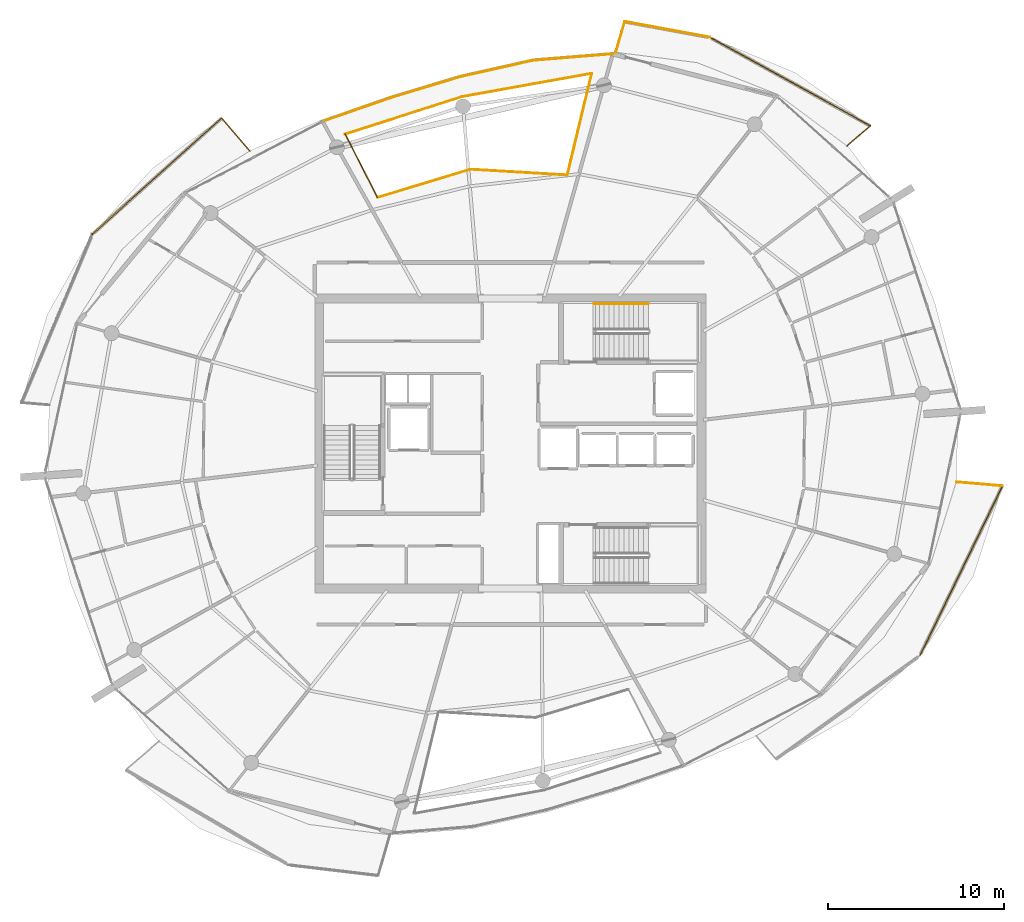
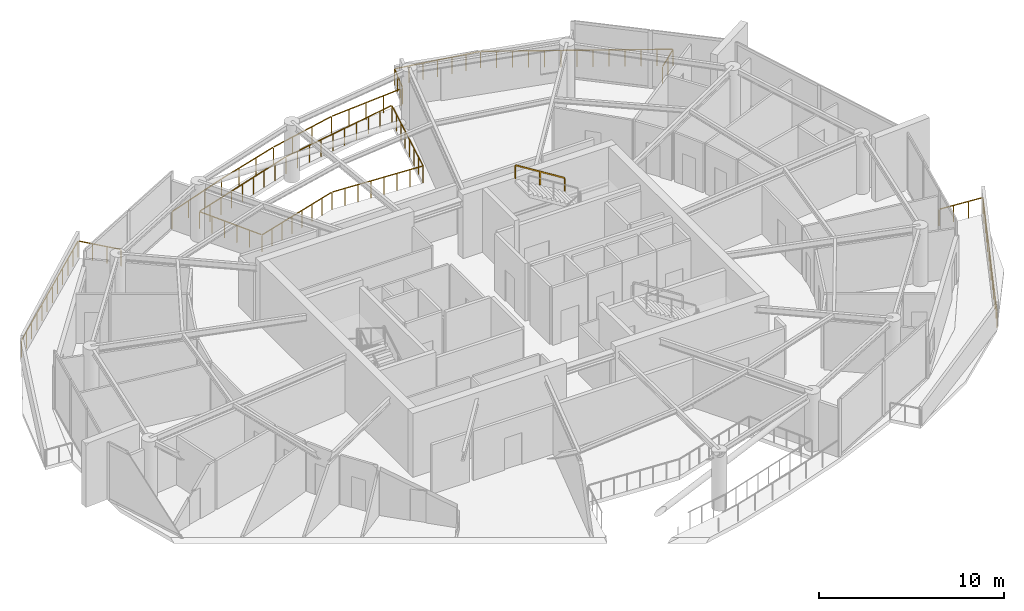
# One storey, part 21 of 21: 16 railings.
"""IFC4 building model written with IfcOpenShell, lengths in metres."""

from ifc_helpers import new_model, si_unit, direction, frame, origin, origin_2d, place, context, subcontext, project, spatial, rectangle, extrude, material, type_object, element, save


model = new_model("IFC4")

# Units and contexts
model_context = context("Model", 3, precision=1e-05, world=origin(), true_north=direction((0.0, 1.0)))
body_context = subcontext(model_context, "Body", "Model", "MODEL_VIEW")
ifc_project = project(units=[si_unit("LENGTHUNIT", "METRE"), si_unit("AREAUNIT", "SQUARE_METRE"), si_unit("VOLUMEUNIT", "CUBIC_METRE"), si_unit("PLANEANGLEUNIT", "RADIAN"), si_unit("MASSUNIT", "GRAM", prefix="KILO")], contexts=[model_context])

# Site, building, storey
site_placement = place(None, origin())
site = spatial("IfcSite", under=ifc_project, at=site_placement, CompositionType="ELEMENT")
building_placement = place(site_placement, origin())
building = spatial("IfcBuilding", under=site, at=building_placement, Name="Kazma Halo Residences", CompositionType="ELEMENT")
storey_placement = place(building_placement, frame((0.0, 0.0, 338.89990234375)))
storey = spatial("IfcBuildingStorey", under=building, at=storey_placement, Name="L85", CompositionType="ELEMENT", Elevation=338.89990234375)

# Railings
ifc_material_1 = material(Name="Aluminium AW-6063 T6 Brushed Cap Rail", Category="aluminium")
railing_type_1 = type_object("IfcRailingType", Name="RLG-BAL-CAP-1120", PredefinedType="BALUSTRADE", material=ifc_material_1)
railing_1_placement = place(storey_placement, frame((67.578369140625, 58.929443359375, 0.0)))
element("IfcRailing", 1, at=railing_1_placement, inside=storey, type_object=railing_type_1, Name="L85 NE wave balcony guard 1", PredefinedType="BALUSTRADE", context=body_context, shape_type="SweptSolid", body=[
    extrude(rectangle(XDim=0.050048828125, YDim=0.050048828125, at=origin_2d()), frame((0.0322265625, 0.02783203125, 1.09521484375), z_axis=(0.756441827706, 0.654060976742, 0.0), x_axis=(-0.654060976742, 0.756441827706, 0.0)), (0.0, 0.0, 1.0), 1.658203125),
    extrude(rectangle(XDim=0.0400390625, YDim=0.0400390625, at=origin_2d()), origin(), (0.0, 0.0, 1.0), 1.05810546875),
    extrude(rectangle(XDim=0.0400390625, YDim=0.0400390625, at=origin_2d()), frame((0.6591796875, 0.570068359375, 0.0)), (0.0, 0.0, 1.0), 1.05810546875),
    extrude(rectangle(XDim=0.0400390625, YDim=0.0400390625, at=origin_2d()), frame((1.318603515625, 1.14013671875, 0.0)), (0.0, 0.0, 1.0), 1.05810546875),
])
railing_2_placement = place(storey_placement, frame((68.89697265625, 60.069580078125, 0.0)))
element("IfcRailing", 2, at=railing_2_placement, inside=storey, type_object=railing_type_1, Name="L85 NE wave balcony guard 2", PredefinedType="BALUSTRADE", context=body_context, shape_type="SweptSolid", body=[
    extrude(rectangle(XDim=0.050048828125, YDim=0.050048828125, at=origin_2d()), frame((-0.037353515625, 0.0205078125, 1.09521484375), z_axis=(-0.875463539226, 0.4832841726, 0.0), x_axis=(-0.4832841726, -0.875463539226, 0.0)), (0.0, 0.0, 1.0), 10.336669921875),
    extrude(rectangle(XDim=0.0400390625, YDim=0.0400390625, at=origin_2d()), origin(), (0.0, 0.0, 1.0), 1.05810546875),
    extrude(rectangle(XDim=0.0400390625, YDim=0.0400390625, at=origin_2d()), frame((-0.76025390625, 0.419677734375, 0.0)), (0.0, 0.0, 1.0), 1.05810546875),
    extrude(rectangle(XDim=0.0400390625, YDim=0.0400390625, at=origin_2d()), frame((-1.5205078125, 0.83935546875, 0.0)), (0.0, 0.0, 1.0), 1.05810546875),
    extrude(rectangle(XDim=0.0400390625, YDim=0.0400390625, at=origin_2d()), frame((-2.281005859375, 1.25927734375, 0.0)), (0.0, 0.0, 1.0), 1.05810546875),
    extrude(rectangle(XDim=0.0400390625, YDim=0.0400390625, at=origin_2d()), frame((-3.041259765625, 1.678955078125, 0.0)), (0.0, 0.0, 1.0), 1.05810546875),
    extrude(rectangle(XDim=0.0400390625, YDim=0.0400390625, at=origin_2d()), frame((-3.801513671875, 2.0986328125, 0.0)), (0.0, 0.0, 1.0), 1.05810546875),
    extrude(rectangle(XDim=0.0400390625, YDim=0.0400390625, at=origin_2d()), frame((-4.56201171875, 2.518310546875, 0.0)), (0.0, 0.0, 1.0), 1.05810546875),
    extrude(rectangle(XDim=0.0400390625, YDim=0.0400390625, at=origin_2d()), frame((-5.322265625, 2.93798828125, 0.0)), (0.0, 0.0, 1.0), 1.05810546875),
    extrude(rectangle(XDim=0.0400390625, YDim=0.0400390625, at=origin_2d()), frame((-6.08251953125, 3.357666015625, 0.0)), (0.0, 0.0, 1.0), 1.05810546875),
    extrude(rectangle(XDim=0.0400390625, YDim=0.0400390625, at=origin_2d()), frame((-6.8427734375, 3.77734375, 0.0)), (0.0, 0.0, 1.0), 1.05810546875),
    extrude(rectangle(XDim=0.0400390625, YDim=0.0400390625, at=origin_2d()), frame((-7.60302734375, 4.197265625, 0.0)), (0.0, 0.0, 1.0), 1.05810546875),
    extrude(rectangle(XDim=0.0400390625, YDim=0.0400390625, at=origin_2d()), frame((-8.363525390625, 4.616943359375, 0.0)), (0.0, 0.0, 1.0), 1.05810546875),
    extrude(rectangle(XDim=0.0400390625, YDim=0.0400390625, at=origin_2d()), frame((-9.123779296875, 5.03662109375, 0.0)), (0.0, 0.0, 1.0), 1.05810546875),
])
railing_3_placement = place(storey_placement, frame((59.773193359375, 65.106201171875, 0.0)))
element("IfcRailing", 3, at=railing_3_placement, inside=storey, type_object=railing_type_1, Name="L85 NE wave balcony guard 3", PredefinedType="BALUSTRADE", context=body_context, shape_type="SweptSolid", body=[
    extrude(rectangle(XDim=0.050048828125, YDim=0.050048828125, at=origin_2d()), frame((-0.041748046875, 0.0078125, 1.09521484375), z_axis=(-0.983431811487, 0.181278438198, 0.0), x_axis=(-0.181278438198, -0.983431811487, 0.0)), (0.0, 0.0, 1.0), 4.8427734375),
    extrude(rectangle(XDim=0.0400390625, YDim=0.0400390625, at=origin_2d()), origin(), (0.0, 0.0, 1.0), 1.05810546875),
    extrude(rectangle(XDim=0.0400390625, YDim=0.0400390625, at=origin_2d()), frame((-0.8076171875, 0.14892578125, 0.0)), (0.0, 0.0, 1.0), 1.05810546875),
    extrude(rectangle(XDim=0.0400390625, YDim=0.0400390625, at=origin_2d()), frame((-1.615478515625, 0.2978515625, 0.0)), (0.0, 0.0, 1.0), 1.05810546875),
    extrude(rectangle(XDim=0.0400390625, YDim=0.0400390625, at=origin_2d()), frame((-2.423095703125, 0.44677734375, 0.0)), (0.0, 0.0, 1.0), 1.05810546875),
    extrude(rectangle(XDim=0.0400390625, YDim=0.0400390625, at=origin_2d()), frame((-3.230712890625, 0.595458984375, 0.0)), (0.0, 0.0, 1.0), 1.05810546875),
    extrude(rectangle(XDim=0.0400390625, YDim=0.0400390625, at=origin_2d()), frame((-4.03857421875, 0.744384765625, 0.0)), (0.0, 0.0, 1.0), 1.05810546875),
    extrude(rectangle(XDim=0.0400390625, YDim=0.0400390625, at=origin_2d()), frame((-4.84619140625, 0.893310546875, 0.0)), (0.0, 0.0, 1.0), 1.05810546875),
])
railing_4_placement = place(storey_placement, frame((54.927001953125, 65.99951171875, 0.0)))
element("IfcRailing", 4, at=railing_4_placement, inside=storey, type_object=railing_type_1, Name="L85 NE wave balcony guard 4", PredefinedType="BALUSTRADE", context=body_context, shape_type="SweptSolid", body=[
    extrude(rectangle(XDim=0.050048828125, YDim=0.050048828125, at=origin_2d()), frame((-0.01171875, -0.040771484375, 1.09521484375), z_axis=(-0.277258475671, -0.960795367219, 0.0), x_axis=(0.960795367219, -0.277258475671, 0.0)), (0.0, 0.0, 1.0), 1.7314453125),
    extrude(rectangle(XDim=0.0400390625, YDim=0.0400390625, at=origin_2d()), origin(), (0.0, 0.0, 1.0), 1.05810546875),
    extrude(rectangle(XDim=0.0400390625, YDim=0.0400390625, at=origin_2d()), frame((-0.16796875, -0.581787109375, 0.0)), (0.0, 0.0, 1.0), 1.05810546875),
    extrude(rectangle(XDim=0.0400390625, YDim=0.0400390625, at=origin_2d()), frame((-0.335693359375, -1.16357421875, 0.0)), (0.0, 0.0, 1.0), 1.05810546875),
    extrude(rectangle(XDim=0.0400390625, YDim=0.0400390625, at=origin_2d()), frame((-0.503662109375, -1.745361328125, 0.0)), (0.0, 0.0, 1.0), 1.05810546875),
])
railing_5_placement = place(storey_placement, frame((33.61181640625, 58.639404296875, 0.0)))
element("IfcRailing", 5, at=railing_5_placement, inside=storey, type_object=railing_type_1, Name="L85 NW wave balcony guard 1", PredefinedType="BALUSTRADE", context=body_context, shape_type="SweptSolid", body=[
    extrude(rectangle(XDim=0.050048828125, YDim=0.050048828125, at=origin_2d()), frame((-0.02783203125, 0.0322265625, 1.09521484375), z_axis=(-0.654083132411, 0.756422670136, 0.0), x_axis=(-0.756422670136, -0.654083132411, 0.0)), (0.0, 0.0, 1.0), 2.384033203125),
    extrude(rectangle(XDim=0.0400390625, YDim=0.0400390625, at=origin_2d()), origin(), (0.0, 0.0, 1.0), 1.05810546875),
    extrude(rectangle(XDim=0.0400390625, YDim=0.0400390625, at=origin_2d()), frame((-0.538330078125, 0.62255859375, 0.0)), (0.0, 0.0, 1.0), 1.05810546875),
    extrude(rectangle(XDim=0.0400390625, YDim=0.0400390625, at=origin_2d()), frame((-1.07666015625, 1.2451171875, 0.0)), (0.0, 0.0, 1.0), 1.05810546875),
    extrude(rectangle(XDim=0.0400390625, YDim=0.0400390625, at=origin_2d()), frame((-1.614990234375, 1.86767578125, 0.0)), (0.0, 0.0, 1.0), 1.05810546875),
])
railing_6_placement = place(storey_placement, frame((31.996826171875, 60.507080078125, 0.0)))
element("IfcRailing", 6, at=railing_6_placement, inside=storey, type_object=railing_type_1, Name="L85 NW wave balcony guard 2", PredefinedType="BALUSTRADE", context=body_context, shape_type="SweptSolid", body=[
    extrude(rectangle(XDim=0.050048828125, YDim=0.050048828125, at=origin_2d()), frame((-0.03173828125, -0.0283203125, 1.09521484375), z_axis=(-0.743895596827, -0.668295848424, 0.0), x_axis=(0.668295848424, -0.743895596827, 0.0)), (0.0, 0.0, 1.0), 9.800048828125),
    extrude(rectangle(XDim=0.0400390625, YDim=0.0400390625, at=origin_2d()), origin(), (0.0, 0.0, 1.0), 1.05810546875),
    extrude(rectangle(XDim=0.0400390625, YDim=0.0400390625, at=origin_2d()), frame((-0.66845703125, -0.6005859375, 0.0)), (0.0, 0.0, 1.0), 1.05810546875),
    extrude(rectangle(XDim=0.0400390625, YDim=0.0400390625, at=origin_2d()), frame((-1.3369140625, -1.201171875, 0.0)), (0.0, 0.0, 1.0), 1.05810546875),
    extrude(rectangle(XDim=0.0400390625, YDim=0.0400390625, at=origin_2d()), frame((-2.005615234375, -1.8017578125, 0.0)), (0.0, 0.0, 1.0), 1.05810546875),
    extrude(rectangle(XDim=0.0400390625, YDim=0.0400390625, at=origin_2d()), frame((-2.674072265625, -2.40234375, 0.0)), (0.0, 0.0, 1.0), 1.05810546875),
    extrude(rectangle(XDim=0.0400390625, YDim=0.0400390625, at=origin_2d()), frame((-3.342529296875, -3.0029296875, 0.0)), (0.0, 0.0, 1.0), 1.05810546875),
    extrude(rectangle(XDim=0.0400390625, YDim=0.0400390625, at=origin_2d()), frame((-4.010986328125, -3.603271484375, 0.0)), (0.0, 0.0, 1.0), 1.05810546875),
    extrude(rectangle(XDim=0.0400390625, YDim=0.0400390625, at=origin_2d()), frame((-4.679443359375, -4.203857421875, 0.0)), (0.0, 0.0, 1.0), 1.05810546875),
    extrude(rectangle(XDim=0.0400390625, YDim=0.0400390625, at=origin_2d()), frame((-5.347900390625, -4.804443359375, 0.0)), (0.0, 0.0, 1.0), 1.05810546875),
    extrude(rectangle(XDim=0.0400390625, YDim=0.0400390625, at=origin_2d()), frame((-6.0166015625, -5.405029296875, 0.0)), (0.0, 0.0, 1.0), 1.05810546875),
    extrude(rectangle(XDim=0.0400390625, YDim=0.0400390625, at=origin_2d()), frame((-6.68505859375, -6.005615234375, 0.0)), (0.0, 0.0, 1.0), 1.05810546875),
    extrude(rectangle(XDim=0.0400390625, YDim=0.0400390625, at=origin_2d()), frame((-7.353515625, -6.606201171875, 0.0)), (0.0, 0.0, 1.0), 1.05810546875),
])
railing_7_placement = place(storey_placement, frame((71.71142578125, 29.91845703125, 0.0)))
element("IfcRailing", 7, at=railing_7_placement, inside=storey, type_object=railing_type_1, Name="L85 SE wave balcony guard 3", PredefinedType="BALUSTRADE", context=body_context, shape_type="SweptSolid", body=[
    extrude(rectangle(XDim=0.050048828125, YDim=0.050048828125, at=origin_2d()), frame((0.0185546875, 0.038330078125, 1.09521484375), z_axis=(0.4376264546, 0.899156875208, 0.0), x_axis=(-0.899156875208, 0.4376264546, 0.0)), (0.0, 0.0, 1.0), 10.669677734375),
    extrude(rectangle(XDim=0.0400390625, YDim=0.0400390625, at=origin_2d()), origin(), (0.0, 0.0, 1.0), 1.05810546875),
    extrude(rectangle(XDim=0.0400390625, YDim=0.0400390625, at=origin_2d()), frame((0.39208984375, 0.805908203125, 0.0)), (0.0, 0.0, 1.0), 1.05810546875),
    extrude(rectangle(XDim=0.0400390625, YDim=0.0400390625, at=origin_2d()), frame((0.784423828125, 1.61181640625, 0.0)), (0.0, 0.0, 1.0), 1.05810546875),
    extrude(rectangle(XDim=0.0400390625, YDim=0.0400390625, at=origin_2d()), frame((1.1767578125, 2.41748046875, 0.0)), (0.0, 0.0, 1.0), 1.05810546875),
    extrude(rectangle(XDim=0.0400390625, YDim=0.0400390625, at=origin_2d()), frame((1.56884765625, 3.223388671875, 0.0)), (0.0, 0.0, 1.0), 1.05810546875),
    extrude(rectangle(XDim=0.0400390625, YDim=0.0400390625, at=origin_2d()), frame((1.9609375, 4.029296875, 0.0)), (0.0, 0.0, 1.0), 1.05810546875),
    extrude(rectangle(XDim=0.0400390625, YDim=0.0400390625, at=origin_2d()), frame((2.353271484375, 4.8349609375, 0.0)), (0.0, 0.0, 1.0), 1.05810546875),
    extrude(rectangle(XDim=0.0400390625, YDim=0.0400390625, at=origin_2d()), frame((2.74560546875, 5.640869140625, 0.0)), (0.0, 0.0, 1.0), 1.05810546875),
    extrude(rectangle(XDim=0.0400390625, YDim=0.0400390625, at=origin_2d()), frame((3.1376953125, 6.44677734375, 0.0)), (0.0, 0.0, 1.0), 1.05810546875),
    extrude(rectangle(XDim=0.0400390625, YDim=0.0400390625, at=origin_2d()), frame((3.52978515625, 7.252685546875, 0.0)), (0.0, 0.0, 1.0), 1.05810546875),
    extrude(rectangle(XDim=0.0400390625, YDim=0.0400390625, at=origin_2d()), frame((3.922119140625, 8.05859375, 0.0)), (0.0, 0.0, 1.0), 1.05810546875),
    extrude(rectangle(XDim=0.0400390625, YDim=0.0400390625, at=origin_2d()), frame((4.314453125, 8.8642578125, 0.0)), (0.0, 0.0, 1.0), 1.05810546875),
    extrude(rectangle(XDim=0.0400390625, YDim=0.0400390625, at=origin_2d()), frame((4.70654296875, 9.670166015625, 0.0)), (0.0, 0.0, 1.0), 1.05810546875),
])
railing_8_placement = place(storey_placement, frame((76.41796875, 39.588623046875, 0.0)))
element("IfcRailing", 8, at=railing_8_placement, inside=storey, type_object=railing_type_1, Name="L85 SE wave balcony guard 4", PredefinedType="BALUSTRADE", context=body_context, shape_type="SweptSolid", body=[
    extrude(rectangle(XDim=0.050048828125, YDim=0.050048828125, at=origin_2d()), frame((-0.04248046875, 0.003662109375, 1.09521484375), z_axis=(-0.99641429759, 0.084608200297, 0.0), x_axis=(-0.084608200297, -0.99641429759, 0.0)), (0.0, 0.0, 1.0), 2.55224609375),
    extrude(rectangle(XDim=0.0400390625, YDim=0.0400390625, at=origin_2d()), origin(), (0.0, 0.0, 1.0), 1.05810546875),
    extrude(rectangle(XDim=0.0400390625, YDim=0.0400390625, at=origin_2d()), frame((-0.8759765625, 0.074462890625, 0.0)), (0.0, 0.0, 1.0), 1.05810546875),
    extrude(rectangle(XDim=0.0400390625, YDim=0.0400390625, at=origin_2d()), frame((-1.751953125, 0.148681640625, 0.0)), (0.0, 0.0, 1.0), 1.05810546875),
    extrude(rectangle(XDim=0.0400390625, YDim=0.0400390625, at=origin_2d()), frame((-2.6279296875, 0.22314453125, 0.0)), (0.0, 0.0, 1.0), 1.05810546875),
])
ifc_material_2 = material(Name="Brushed Stainless Steel and Laminated Glass", Category="steel")
railing_type_2 = type_object("IfcRailingType", Name="RLG-EXT-GUARD-1150", PredefinedType="GUARDRAIL", material=ifc_material_2)
railing_9_placement = place(storey_placement, frame((51.6650390625, 57.26611328125, 0.0)))
element("IfcRailing", 9, at=railing_9_placement, inside=storey, type_object=railing_type_2, Name="L85 upper wind-portal edge guard 1.1", PredefinedType="GUARDRAIL", context=body_context, shape_type="SweptSolid", body=[
    extrude(rectangle(XDim=0.050048828125, YDim=0.050048828125, at=origin_2d()), frame((-0.04248046875, 0.00244140625, 1.125), z_axis=(-0.998263068552, 0.058913886013, 0.0), x_axis=(-0.058913886013, -0.998263068552, 0.0)), (0.0, 0.0, 1.0), 5.434814453125),
    extrude(rectangle(XDim=0.0400390625, YDim=0.0400390625, at=origin_2d()), origin(), (0.0, 0.0, 1.0), 1.087890625),
    extrude(rectangle(XDim=0.0400390625, YDim=0.0400390625, at=origin_2d()), frame((-0.787109375, 0.04638671875, 0.0)), (0.0, 0.0, 1.0), 1.087890625),
    extrude(rectangle(XDim=0.0400390625, YDim=0.0400390625, at=origin_2d()), frame((-1.574462890625, 0.093017578125, 0.0)), (0.0, 0.0, 1.0), 1.087890625),
    extrude(rectangle(XDim=0.0400390625, YDim=0.0400390625, at=origin_2d()), frame((-2.361572265625, 0.139404296875, 0.0)), (0.0, 0.0, 1.0), 1.087890625),
    extrude(rectangle(XDim=0.0400390625, YDim=0.0400390625, at=origin_2d()), frame((-3.148681640625, 0.185791015625, 0.0)), (0.0, 0.0, 1.0), 1.087890625),
    extrude(rectangle(XDim=0.0400390625, YDim=0.0400390625, at=origin_2d()), frame((-3.935791015625, 0.232177734375, 0.0)), (0.0, 0.0, 1.0), 1.087890625),
    extrude(rectangle(XDim=0.0400390625, YDim=0.0400390625, at=origin_2d()), frame((-4.72314453125, 0.27880859375, 0.0)), (0.0, 0.0, 1.0), 1.087890625),
    extrude(rectangle(XDim=0.0400390625, YDim=0.0400390625, at=origin_2d()), frame((-5.51025390625, 0.3251953125, 0.0)), (0.0, 0.0, 1.0), 1.087890625),
])
railing_10_placement = place(storey_placement, frame((46.15478515625, 57.59130859375, 0.0)))
element("IfcRailing", 10, at=railing_10_placement, inside=storey, type_object=railing_type_2, Name="L85 upper wind-portal edge guard 1.2", PredefinedType="GUARDRAIL", context=body_context, shape_type="SweptSolid", body=[
    extrude(rectangle(XDim=0.050048828125, YDim=0.050048828125, at=origin_2d()), frame((-0.040771484375, -0.012451171875, 1.125), z_axis=(-0.956934342561, -0.290304433358, 0.0), x_axis=(0.290304433358, -0.956934342561, 0.0)), (0.0, 0.0, 1.0), 5.43505859375),
    extrude(rectangle(XDim=0.0400390625, YDim=0.0400390625, at=origin_2d()), origin(), (0.0, 0.0, 1.0), 1.087890625),
    extrude(rectangle(XDim=0.0400390625, YDim=0.0400390625, at=origin_2d()), frame((-0.754638671875, -0.22900390625, 0.0)), (0.0, 0.0, 1.0), 1.087890625),
    extrude(rectangle(XDim=0.0400390625, YDim=0.0400390625, at=origin_2d()), frame((-1.50927734375, -0.457763671875, 0.0)), (0.0, 0.0, 1.0), 1.087890625),
    extrude(rectangle(XDim=0.0400390625, YDim=0.0400390625, at=origin_2d()), frame((-2.263916015625, -0.686767578125, 0.0)), (0.0, 0.0, 1.0), 1.087890625),
    extrude(rectangle(XDim=0.0400390625, YDim=0.0400390625, at=origin_2d()), frame((-3.0185546875, -0.915771484375, 0.0)), (0.0, 0.0, 1.0), 1.087890625),
    extrude(rectangle(XDim=0.0400390625, YDim=0.0400390625, at=origin_2d()), frame((-3.773193359375, -1.144775390625, 0.0)), (0.0, 0.0, 1.0), 1.087890625),
    extrude(rectangle(XDim=0.0400390625, YDim=0.0400390625, at=origin_2d()), frame((-4.52783203125, -1.37353515625, 0.0)), (0.0, 0.0, 1.0), 1.087890625),
    extrude(rectangle(XDim=0.0400390625, YDim=0.0400390625, at=origin_2d()), frame((-5.282470703125, -1.6025390625, 0.0)), (0.0, 0.0, 1.0), 1.087890625),
])
railing_11_placement = place(storey_placement, frame((40.872314453125, 55.98876953125, 0.0)))
element("IfcRailing", 11, at=railing_11_placement, inside=storey, type_object=railing_type_2, Name="L85 upper wind-portal edge guard 1.3", PredefinedType="GUARDRAIL", context=body_context, shape_type="SweptSolid", body=[
    extrude(rectangle(XDim=0.050048828125, YDim=0.050048828125, at=origin_2d()), frame((-0.019287109375, 0.037841796875, 1.125), z_axis=(-0.453986372723, 0.891008626996, 0.0), x_axis=(-0.891008626996, -0.453986372723, 0.0)), (0.0, 0.0, 1.0), 3.958984375),
    extrude(rectangle(XDim=0.0400390625, YDim=0.0400390625, at=origin_2d()), origin(), (0.0, 0.0, 1.0), 1.087890625),
    extrude(rectangle(XDim=0.0400390625, YDim=0.0400390625, at=origin_2d()), frame((-0.3671875, 0.720703125, 0.0)), (0.0, 0.0, 1.0), 1.087890625),
    extrude(rectangle(XDim=0.0400390625, YDim=0.0400390625, at=origin_2d()), frame((-0.734375, 1.44140625, 0.0)), (0.0, 0.0, 1.0), 1.087890625),
    extrude(rectangle(XDim=0.0400390625, YDim=0.0400390625, at=origin_2d()), frame((-1.1015625, 2.161865234375, 0.0)), (0.0, 0.0, 1.0), 1.087890625),
    extrude(rectangle(XDim=0.0400390625, YDim=0.0400390625, at=origin_2d()), frame((-1.46875, 2.882568359375, 0.0)), (0.0, 0.0, 1.0), 1.087890625),
    extrude(rectangle(XDim=0.0400390625, YDim=0.0400390625, at=origin_2d()), frame((-1.8359375, 3.603271484375, 0.0)), (0.0, 0.0, 1.0), 1.087890625),
])
railing_12_placement = place(storey_placement, frame((39.036376953125, 59.592041015625, 0.0)))
element("IfcRailing", 12, at=railing_12_placement, inside=storey, type_object=railing_type_2, Name="L85 upper wind-portal edge guard 1.4", PredefinedType="GUARDRAIL", context=body_context, shape_type="SweptSolid", body=[
    extrude(rectangle(XDim=0.050048828125, YDim=0.050048828125, at=origin_2d()), frame((0.04052734375, 0.012939453125, 1.125), z_axis=(0.952165276882, 0.305583516407, 0.0), x_axis=(-0.305583516407, 0.952165276882, 0.0)), (0.0, 0.0, 1.0), 6.877685546875),
    extrude(rectangle(XDim=0.0400390625, YDim=0.0400390625, at=origin_2d()), origin(), (0.0, 0.0, 1.0), 1.087890625),
    extrude(rectangle(XDim=0.0400390625, YDim=0.0400390625, at=origin_2d()), frame((0.82861328125, 0.265869140625, 0.0)), (0.0, 0.0, 1.0), 1.087890625),
    extrude(rectangle(XDim=0.0400390625, YDim=0.0400390625, at=origin_2d()), frame((1.657470703125, 0.531982421875, 0.0)), (0.0, 0.0, 1.0), 1.087890625),
    extrude(rectangle(XDim=0.0400390625, YDim=0.0400390625, at=origin_2d()), frame((2.486083984375, 0.7978515625, 0.0)), (0.0, 0.0, 1.0), 1.087890625),
    extrude(rectangle(XDim=0.0400390625, YDim=0.0400390625, at=origin_2d()), frame((3.31494140625, 1.06396484375, 0.0)), (0.0, 0.0, 1.0), 1.087890625),
    extrude(rectangle(XDim=0.0400390625, YDim=0.0400390625, at=origin_2d()), frame((4.1435546875, 1.329833984375, 0.0)), (0.0, 0.0, 1.0), 1.087890625),
    extrude(rectangle(XDim=0.0400390625, YDim=0.0400390625, at=origin_2d()), frame((4.97216796875, 1.595703125, 0.0)), (0.0, 0.0, 1.0), 1.087890625),
    extrude(rectangle(XDim=0.0400390625, YDim=0.0400390625, at=origin_2d()), frame((5.801025390625, 1.86181640625, 0.0)), (0.0, 0.0, 1.0), 1.087890625),
    extrude(rectangle(XDim=0.0400390625, YDim=0.0400390625, at=origin_2d()), frame((6.629638671875, 2.127685546875, 0.0)), (0.0, 0.0, 1.0), 1.087890625),
])
railing_13_placement = place(storey_placement, frame((45.666015625, 61.7197265625, 0.0)))
element("IfcRailing", 13, at=railing_13_placement, inside=storey, type_object=railing_type_2, Name="L85 upper wind-portal edge guard 1.5", PredefinedType="GUARDRAIL", context=body_context, shape_type="SweptSolid", body=[
    extrude(rectangle(XDim=0.050048828125, YDim=0.050048828125, at=origin_2d()), frame((0.0419921875, 0.007568359375, 1.125), z_axis=(0.984235798799, 0.176861223455, 0.0), x_axis=(-0.176861223455, 0.984235798799, 0.0)), (0.0, 0.0, 1.0), 7.420166015625),
    extrude(rectangle(XDim=0.0400390625, YDim=0.0400390625, at=origin_2d()), origin(), (0.0, 0.0, 1.0), 1.087890625),
    extrude(rectangle(XDim=0.0400390625, YDim=0.0400390625, at=origin_2d()), frame((0.82080078125, 0.1474609375, 0.0)), (0.0, 0.0, 1.0), 1.087890625),
    extrude(rectangle(XDim=0.0400390625, YDim=0.0400390625, at=origin_2d()), frame((1.6416015625, 0.294921875, 0.0)), (0.0, 0.0, 1.0), 1.087890625),
    extrude(rectangle(XDim=0.0400390625, YDim=0.0400390625, at=origin_2d()), frame((2.46240234375, 0.4423828125, 0.0)), (0.0, 0.0, 1.0), 1.087890625),
    extrude(rectangle(XDim=0.0400390625, YDim=0.0400390625, at=origin_2d()), frame((3.283203125, 0.58984375, 0.0)), (0.0, 0.0, 1.0), 1.087890625),
    extrude(rectangle(XDim=0.0400390625, YDim=0.0400390625, at=origin_2d()), frame((4.103759765625, 0.737548828125, 0.0)), (0.0, 0.0, 1.0), 1.087890625),
    extrude(rectangle(XDim=0.0400390625, YDim=0.0400390625, at=origin_2d()), frame((4.924560546875, 0.885009765625, 0.0)), (0.0, 0.0, 1.0), 1.087890625),
    extrude(rectangle(XDim=0.0400390625, YDim=0.0400390625, at=origin_2d()), frame((5.745361328125, 1.032470703125, 0.0)), (0.0, 0.0, 1.0), 1.087890625),
    extrude(rectangle(XDim=0.0400390625, YDim=0.0400390625, at=origin_2d()), frame((6.566162109375, 1.179931640625, 0.0)), (0.0, 0.0, 1.0), 1.087890625),
    extrude(rectangle(XDim=0.0400390625, YDim=0.0400390625, at=origin_2d()), frame((7.386962890625, 1.327392578125, 0.0)), (0.0, 0.0, 1.0), 1.087890625),
])
railing_14_placement = place(storey_placement, frame((53.052978515625, 63.047119140625, 0.0)))
element("IfcRailing", 14, at=railing_14_placement, inside=storey, type_object=railing_type_2, Name="L85 upper wind-portal edge guard 1.6", PredefinedType="GUARDRAIL", context=body_context, shape_type="SweptSolid", body=[
    extrude(rectangle(XDim=0.050048828125, YDim=0.050048828125, at=origin_2d()), frame((-0.010009765625, -0.041259765625, 1.125), z_axis=(-0.233452160997, -0.972368288523, 0.0), x_axis=(0.972368288523, -0.233452160997, 0.0)), (0.0, 0.0, 1.0), 5.860107421875),
    extrude(rectangle(XDim=0.0400390625, YDim=0.0400390625, at=origin_2d()), origin(), (0.0, 0.0, 1.0), 1.087890625),
    extrude(rectangle(XDim=0.0400390625, YDim=0.0400390625, at=origin_2d()), frame((-0.1982421875, -0.825927734375, 0.0)), (0.0, 0.0, 1.0), 1.087890625),
    extrude(rectangle(XDim=0.0400390625, YDim=0.0400390625, at=origin_2d()), frame((-0.396484375, -1.651611328125, 0.0)), (0.0, 0.0, 1.0), 1.087890625),
    extrude(rectangle(XDim=0.0400390625, YDim=0.0400390625, at=origin_2d()), frame((-0.5947265625, -2.4775390625, 0.0)), (0.0, 0.0, 1.0), 1.087890625),
    extrude(rectangle(XDim=0.0400390625, YDim=0.0400390625, at=origin_2d()), frame((-0.793212890625, -3.303466796875, 0.0)), (0.0, 0.0, 1.0), 1.087890625),
    extrude(rectangle(XDim=0.0400390625, YDim=0.0400390625, at=origin_2d()), frame((-0.991455078125, -4.12939453125, 0.0)), (0.0, 0.0, 1.0), 1.087890625),
    extrude(rectangle(XDim=0.0400390625, YDim=0.0400390625, at=origin_2d()), frame((-1.189697265625, -4.955078125, 0.0)), (0.0, 0.0, 1.0), 1.087890625),
    extrude(rectangle(XDim=0.0400390625, YDim=0.0400390625, at=origin_2d()), frame((-1.387939453125, -5.781005859375, 0.0)), (0.0, 0.0, 1.0), 1.087890625),
])
railing_15_placement = place(storey_placement, frame((54.248046875, 64.15380859375, 0.0)))
element("IfcRailing", 15, at=railing_15_placement, inside=storey, type_object=railing_type_2, Name="L85 upper wind-portal outer rim guard 1", PredefinedType="GUARDRAIL", context=body_context, shape_type="SweptSolid", body=[
    extrude(rectangle(XDim=0.050048828125, YDim=0.050048828125, at=origin_2d()), frame((-0.04248046875, -0.00341796875, 1.125), z_axis=(-0.996709972845, -0.081050786741, 0.0), x_axis=(0.081050786741, -0.996709972845, 0.0)), (0.0, 0.0, 1.0), 4.46337890625),
    extrude(rectangle(XDim=0.050048828125, YDim=0.050048828125, at=origin_2d()), frame((-4.574951171875, -0.3779296875, 1.125), z_axis=(-0.975482432849, -0.220077311878, 0.0), x_axis=(0.220077311878, -0.975482432849, 0.0)), (0.0, 0.0, 1.0), 4.201416015625),
    extrude(rectangle(XDim=0.050048828125, YDim=0.050048828125, at=origin_2d()), frame((-8.755615234375, -1.32421875, 1.125), z_axis=(-0.957126127976, -0.289671495225, 0.0), x_axis=(0.289671495225, -0.957126127976, 0.0)), (0.0, 0.0, 1.0), 4.01025390625),
    extrude(rectangle(XDim=0.050048828125, YDim=0.050048828125, at=origin_2d()), frame((-12.6748046875, -2.51220703125, 1.125), z_axis=(-0.944594872531, -0.328238521184, 0.0), x_axis=(0.328238521184, -0.944594872531, 0.0)), (0.0, 0.0, 1.0), 4.01025390625),
    extrude(rectangle(XDim=0.0400390625, YDim=0.0400390625, at=origin_2d()), origin(), (0.0, 0.0, 1.0), 1.087890625),
    extrude(rectangle(XDim=0.0400390625, YDim=0.0400390625, at=origin_2d()), frame((-1.13330078125, -0.09228515625, 0.0)), (0.0, 0.0, 1.0), 1.087890625),
    extrude(rectangle(XDim=0.0400390625, YDim=0.0400390625, at=origin_2d()), frame((-2.2666015625, -0.184326171875, 0.0)), (0.0, 0.0, 1.0), 1.087890625),
    extrude(rectangle(XDim=0.0400390625, YDim=0.0400390625, at=origin_2d()), frame((-3.400146484375, -0.2763671875, 0.0)), (0.0, 0.0, 1.0), 1.087890625),
    extrude(rectangle(XDim=0.0400390625, YDim=0.0400390625, at=origin_2d()), frame((-4.533447265625, -0.36865234375, 0.0)), (0.0, 0.0, 1.0), 1.087890625),
    extrude(rectangle(XDim=0.0400390625, YDim=0.0400390625, at=origin_2d()), frame((-5.92724609375, -0.68310546875, 0.0)), (0.0, 0.0, 1.0), 1.087890625),
    extrude(rectangle(XDim=0.0400390625, YDim=0.0400390625, at=origin_2d()), frame((-7.321044921875, -0.99755859375, 0.0)), (0.0, 0.0, 1.0), 1.087890625),
    extrude(rectangle(XDim=0.0400390625, YDim=0.0400390625, at=origin_2d()), frame((-8.71484375, -1.31201171875, 0.0)), (0.0, 0.0, 1.0), 1.087890625),
    extrude(rectangle(XDim=0.0400390625, YDim=0.0400390625, at=origin_2d()), frame((-10.021484375, -1.70751953125, 0.0)), (0.0, 0.0, 1.0), 1.087890625),
    extrude(rectangle(XDim=0.0400390625, YDim=0.0400390625, at=origin_2d()), frame((-11.327880859375, -2.102783203125, 0.0)), (0.0, 0.0, 1.0), 1.087890625),
    extrude(rectangle(XDim=0.0400390625, YDim=0.0400390625, at=origin_2d()), frame((-12.634521484375, -2.498291015625, 0.0)), (0.0, 0.0, 1.0), 1.087890625),
    extrude(rectangle(XDim=0.0400390625, YDim=0.0400390625, at=origin_2d()), frame((-13.924072265625, -2.9462890625, 0.0)), (0.0, 0.0, 1.0), 1.087890625),
    extrude(rectangle(XDim=0.0400390625, YDim=0.0400390625, at=origin_2d()), frame((-15.21337890625, -3.39453125, 0.0)), (0.0, 0.0, 1.0), 1.087890625),
    extrude(rectangle(XDim=0.0400390625, YDim=0.0400390625, at=origin_2d()), frame((-16.5029296875, -3.842529296875, 0.0)), (0.0, 0.0, 1.0), 1.087890625),
])
ifc_material_3 = material(Name="Brushed Stainless Steel", Category="steel")
railing_type_3 = type_object("IfcRailingType", Name="RLG-STAIR-HND-900", PredefinedType="HANDRAIL", material=ifc_material_3)
railing_16_placement = place(storey_placement, frame((56.280029296875, 49.949951171875, 2.275146484375)))
element("IfcRailing", 16, at=railing_16_placement, inside=storey, type_object=railing_type_3, Name="L85 ST-02 stair handrail 2", PredefinedType="HANDRAIL", context=body_context, shape_type="SweptSolid", body=[
    extrude(rectangle(XDim=0.050048828125, YDim=0.050048828125, at=origin_2d()), frame((-0.0361328125, 0.0, 0.8974609375), z_axis=(-0.847998304005, 0.0, 0.529998940003), x_axis=(0.0, -1.0, 0.0)), (0.0, 0.0, 1.0), 3.547119140625),
    extrude(rectangle(XDim=0.0400390625, YDim=0.0400390625, at=origin_2d()), origin(), (0.0, 0.0, 1.0), 0.837890625),
    extrude(rectangle(XDim=0.0400390625, YDim=0.0400390625, at=origin_2d()), frame((-1.5400390625, 0.0, 0.96240234375)), (0.0, 0.0, 1.0), 0.837890625),
    extrude(rectangle(XDim=0.0400390625, YDim=0.0400390625, at=origin_2d()), frame((-3.080078125, 0.0, 1.925048828125)), (0.0, 0.0, 1.0), 0.837890625),
])

save(model, "model.ifc")
